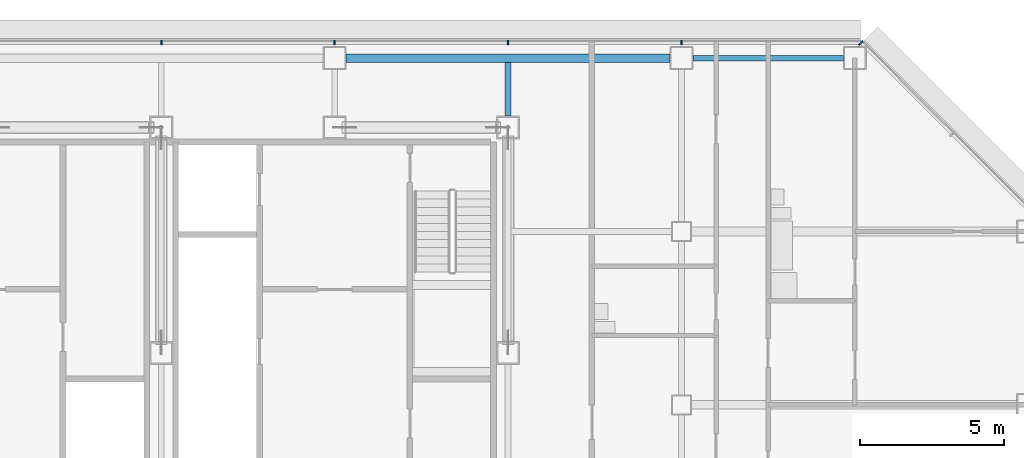
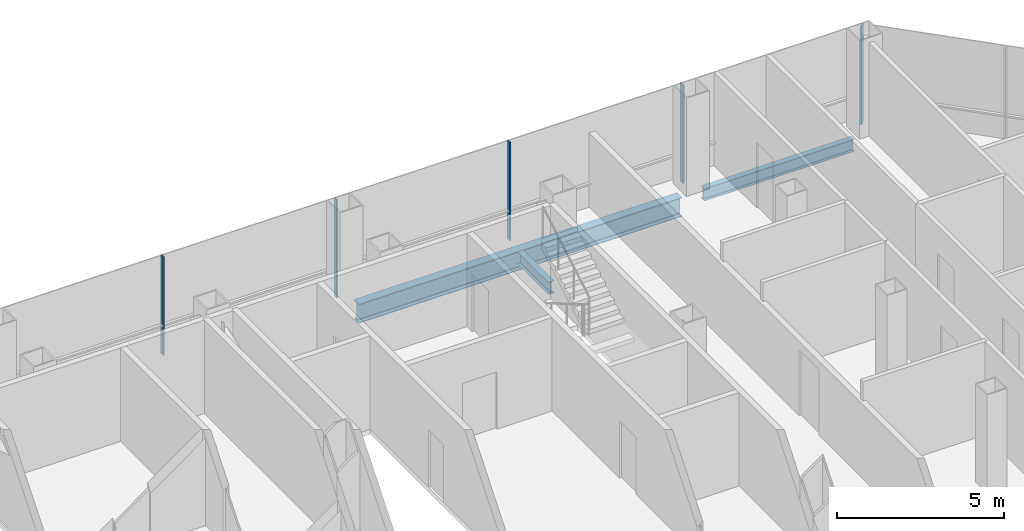
# One storey, part 13 of 26: 5 members, 3 beams, 2 elements without a shape of their own.
"""IFC4 building model written with IfcOpenShell, lengths in metres."""

from ifc_helpers import new_model, si_unit, direction, frame, origin, origin_2d, place, context, subcontext, project, spatial, rectangle, i_section, extrude, material, material_profile, profile_set, type_object, element, aggregate, save


model = new_model("IFC4")

# Units and contexts
model_context = context("Model", 3, precision=1e-05, world=origin(), true_north=direction((0.0, 1.0)))
body_context = subcontext(model_context, "Body", "Model", "MODEL_VIEW")
ifc_project = project(units=[si_unit("LENGTHUNIT", "METRE"), si_unit("AREAUNIT", "SQUARE_METRE"), si_unit("VOLUMEUNIT", "CUBIC_METRE"), si_unit("PLANEANGLEUNIT", "RADIAN"), si_unit("MASSUNIT", "GRAM", prefix="KILO")], contexts=[model_context])

# Site, building, storey
site_placement = place(None, origin())
site = spatial("IfcSite", under=ifc_project, at=site_placement, CompositionType="ELEMENT")
building_placement = place(site_placement, origin())
building = spatial("IfcBuilding", under=site, at=building_placement, Name="Sorahane Residences", CompositionType="ELEMENT")
storey_placement = place(building_placement, frame((0.0, 0.0, 103.39990234375)))
storey = spatial("IfcBuildingStorey", under=building, at=storey_placement, Name="L22", CompositionType="ELEMENT", Elevation=103.39990234375)

# Curtain wall, members
ifc_material_1 = material(Name="Dark low-e glass and black anodised aluminium", Category="aluminium")
curtain_wall_type_1 = type_object("IfcCurtainWallType", Name="Curtain wall CW-1 Typical unitised wall", PredefinedType="NOTDEFINED", material=ifc_material_1)
curtain_wall_1_placement = place(storey_placement, origin())
curtain_wall_1 = element("IfcCurtainWall", 1, at=curtain_wall_1_placement, inside=storey, type_object=curtain_wall_type_1, Name="CW-1 curtain wall L22 N1", PredefinedType="NOTDEFINED")
ifc_material_2 = material(Name="Black anodised aluminium", Category="aluminium")
ifc_material_profile_1 = material_profile(ifc_material_2, rectangle(XDim=0.159912109375, YDim=0.050048828125, at=origin_2d()), Name="Curtain wall mullion CW-1 black anodised aluminium 50x160")
ifc_profile_set_1 = profile_set([ifc_material_profile_1], Name="Black anodised aluminium")
member_type_1 = type_object("IfcMemberType", Name="Curtain wall mullion CW-1 black anodised aluminium 50x160", PredefinedType="MULLION", material=ifc_profile_set_1)
member_1_placement = place(storey_placement, frame((48.0, 48.5400390625, -0.179931640625), z_axis=(0.0, 0.0, 1.0), x_axis=(0.0, 1.0, 0.0)))
member_1 = element("IfcMember", 2, at=member_1_placement, type_object=member_type_1, Name="CW-1 mullion L22 N1.2", PredefinedType="MULLION", context=body_context, shape_type="SweptSolid", body=[
    extrude(rectangle(XDim=0.159912109375, YDim=0.050048828125, at=origin_2d()), origin(), (0.0, 0.0, 1.0), 3.60009765625),
])
member_2_placement = place(storey_placement, frame((42.0, 48.5400390625, -0.179931640625), z_axis=(0.0, 0.0, 1.0), x_axis=(0.0, 1.0, 0.0)))
member_2 = element("IfcMember", 3, at=member_2_placement, type_object=member_type_1, Name="CW-1 mullion L22 N1.3", PredefinedType="MULLION", context=body_context, shape_type="SweptSolid", body=[
    extrude(rectangle(XDim=0.159912109375, YDim=0.050048828125, at=origin_2d()), origin(), (0.0, 0.0, 1.0), 3.60009765625),
])
member_3_placement = place(storey_placement, frame((36.0, 48.5400390625, -0.179931640625), z_axis=(0.0, 0.0, 1.0), x_axis=(0.0, 1.0, 0.0)))
member_3 = element("IfcMember", 4, at=member_3_placement, type_object=member_type_1, Name="CW-1 mullion L22 N1.4", PredefinedType="MULLION", context=body_context, shape_type="SweptSolid", body=[
    extrude(rectangle(XDim=0.159912109375, YDim=0.050048828125, at=origin_2d()), origin(), (0.0, 0.0, 1.0), 3.60009765625),
])
member_4_placement = place(storey_placement, frame((30.0, 48.5400390625, -0.179931640625), z_axis=(0.0, 0.0, 1.0), x_axis=(0.0, 1.0, 0.0)))
member_4 = element("IfcMember", 5, at=member_4_placement, type_object=member_type_1, Name="CW-1 mullion L22 N1.5", PredefinedType="MULLION", context=body_context, shape_type="SweptSolid", body=[
    extrude(rectangle(XDim=0.159912109375, YDim=0.050048828125, at=origin_2d()), origin(), (0.0, 0.0, 1.0), 3.60009765625),
])
aggregate(curtain_wall_1, [member_1, member_2, member_3, member_4])

# Curtain wall, member
ifc_material_3 = material(Name="Dark low-e glass and black anodised aluminium", Category="aluminium")
curtain_wall_type_2 = type_object("IfcCurtainWallType", Name="Curtain wall CW-2 Chamfer unitised wall", PredefinedType="NOTDEFINED", material=ifc_material_3)
curtain_wall_2_placement = place(storey_placement, origin())
curtain_wall_2 = element("IfcCurtainWall", 6, at=curtain_wall_2_placement, inside=storey, type_object=curtain_wall_type_2, Name="CW-2 curtain wall L22 NE1", PredefinedType="NOTDEFINED")
ifc_material_4 = material(Name="Black anodised aluminium", Category="aluminium")
ifc_material_profile_2 = material_profile(ifc_material_4, rectangle(XDim=0.199951171875, YDim=0.050048828125, at=origin_2d()), Name="Curtain wall mullion CW-2 black anodised aluminium 50x200")
ifc_profile_set_2 = profile_set([ifc_material_profile_2], Name="Black anodised aluminium")
member_type_2 = type_object("IfcMemberType", Name="Curtain wall mullion CW-2 black anodised aluminium 50x200", PredefinedType="MULLION", material=ifc_profile_set_2)
member_5_placement = place(storey_placement, frame((54.209716796875, 48.525634765625, -0.179931640625), z_axis=(0.0, 0.0, 1.0), x_axis=(0.707106781187, 0.707106781187, 0.0)))
member_5 = element("IfcMember", 7, at=member_5_placement, type_object=member_type_2, Name="CW-2 mullion L22 NE1.3", PredefinedType="MULLION", context=body_context, shape_type="SweptSolid", body=[
    extrude(rectangle(XDim=0.199951171875, YDim=0.050048828125, at=origin_2d()), origin(), (0.0, 0.0, 1.0), 3.60009765625),
])
aggregate(curtain_wall_2, [member_5])

# Beams
ifc_material_5 = material(Name="Steel Q355B", Category="steel")
ifc_material_profile_3 = material_profile(ifc_material_5, i_section(OverallWidth=0.199951171875, OverallDepth=0.449951171875, WebThickness=0.009033203125, FlangeThickness=0.013916015625, FilletRadius=0.02001953125, at=origin_2d()), Name="HN 450x200x9x14")
ifc_profile_set_3 = profile_set([ifc_material_profile_3], Name="Steel Q355B")
beam_type_1 = type_object("IfcBeamType", Name="Steel floor beam HN 450x200x9x14 Q355B", PredefinedType="BEAM", material=ifc_profile_set_3)
beam_1_placement = place(storey_placement, frame((48.39990234375, 48.0, -0.40478515625), z_axis=(1.0, 0.0, 0.0), x_axis=(0.0, 1.0, 0.0)))
element("IfcBeam", 8, at=beam_1_placement, inside=storey, type_object=beam_type_1, Name="Beam L22 018", PredefinedType="BEAM", context=body_context, shape_type="SweptSolid", body=[
    extrude(i_section(OverallWidth=0.199951171875, OverallDepth=0.449951171875, WebThickness=0.009033203125, FlangeThickness=0.013916015625, FilletRadius=0.02001953125, at=origin_2d()), origin(), (0.0, 0.0, 1.0), 5.2001953125),
])
beam_2_placement = place(storey_placement, frame((42.0, 46.0, -0.40478515625), z_axis=(0.0, 1.0, 0.0), x_axis=(-1.0, 0.0, 0.0)))
element("IfcBeam", 9, at=beam_2_placement, inside=storey, type_object=beam_type_1, Name="Beam L22 054", PredefinedType="BEAM", context=body_context, shape_type="SweptSolid", body=[
    extrude(i_section(OverallWidth=0.199951171875, OverallDepth=0.449951171875, WebThickness=0.009033203125, FlangeThickness=0.013916015625, FilletRadius=0.02001953125, at=origin_2d()), origin(), (0.0, 0.0, 1.0), 1.85009765625),
])
ifc_material_6 = material(Name="Steel Q355B", Category="steel")
ifc_material_profile_4 = material_profile(ifc_material_6, i_section(OverallWidth=0.300048828125, OverallDepth=0.699951171875, WebThickness=0.012939453125, FlangeThickness=0.02392578125, FilletRadius=0.028076171875, at=origin_2d()), Name="HN 700x300x13x24")
ifc_profile_set_4 = profile_set([ifc_material_profile_4], Name="Steel Q355B")
beam_type_2 = type_object("IfcBeamType", Name="Steel floor beam HN 700x300x13x24 Q355B", PredefinedType="BEAM", material=ifc_profile_set_4)
beam_3_placement = place(storey_placement, frame((36.39990234375, 48.0, -0.52978515625), z_axis=(1.0, 0.0, 0.0), x_axis=(0.0, 1.0, 0.0)))
element("IfcBeam", 10, at=beam_3_placement, inside=storey, type_object=beam_type_2, Name="Beam L22 017", PredefinedType="BEAM", context=body_context, shape_type="SweptSolid", body=[
    extrude(i_section(OverallWidth=0.300048828125, OverallDepth=0.699951171875, WebThickness=0.012939453125, FlangeThickness=0.02392578125, FilletRadius=0.028076171875, at=origin_2d()), origin(), (0.0, 0.0, 1.0), 11.2001953125),
])

save(model, "model.ifc")
